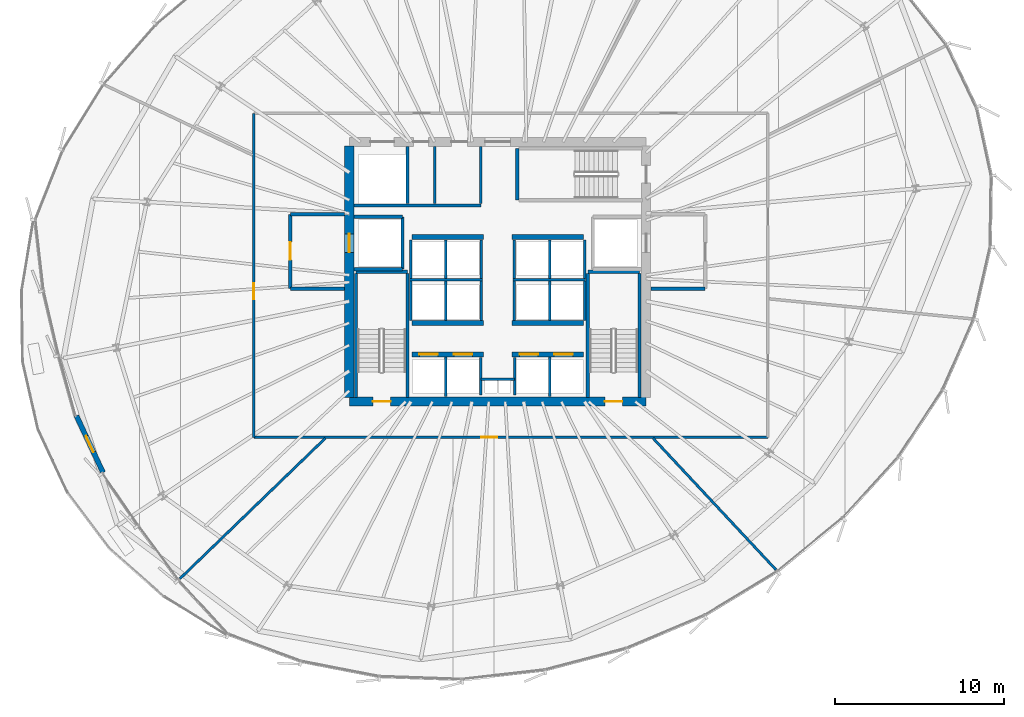
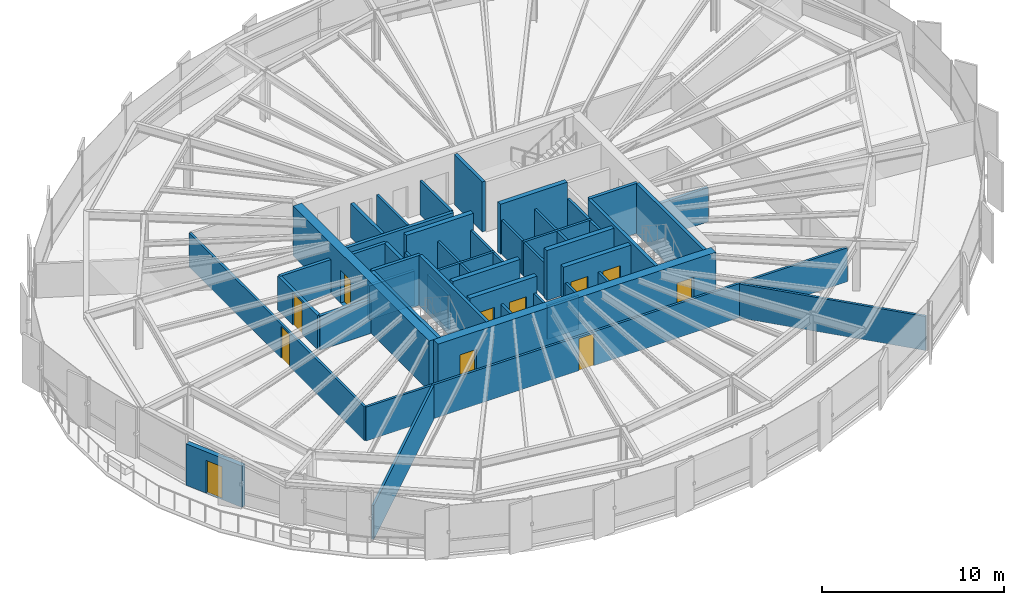
# One storey, part 27 of 33: 50 walls, 11 doors, 11 openings.
"""IFC4 building model written with IfcOpenShell, lengths in metres."""

from ifc_helpers import new_model, si_unit, direction, frame, frame_2d, origin, place, context, subcontext, project, spatial, rectangle, extrude, source, transform, mapped, material, layer, layer_set, type_object, element, fill, save


model = new_model("IFC4")

# Units and contexts
model_context = context("Model", 3, precision=1e-05, world=origin(), true_north=direction((0.0, 1.0)))
body_context = subcontext(model_context, "Body", "Model", "MODEL_VIEW")
ifc_project = project(units=[si_unit("LENGTHUNIT", "METRE"), si_unit("AREAUNIT", "SQUARE_METRE"), si_unit("VOLUMEUNIT", "CUBIC_METRE"), si_unit("PLANEANGLEUNIT", "RADIAN"), si_unit("MASSUNIT", "GRAM", prefix="KILO"), si_unit("THERMODYNAMICTEMPERATUREUNIT", "KELVIN")], contexts=[model_context])

# Site, building, storey
site_placement = place(None, origin())
site = spatial("IfcSite", under=ifc_project, at=site_placement, CompositionType="ELEMENT")
building_placement = place(site_placement, origin())
building = spatial("IfcBuilding", under=site, at=building_placement, Name="Kethvar Cultural Tower", CompositionType="ELEMENT")
storey_placement = place(building_placement, frame((0.0, 0.0, 110.800048828125)))
storey = spatial("IfcBuildingStorey", under=building, at=storey_placement, Name="L27", CompositionType="ELEMENT", Elevation=110.800048828125)

# Wall, openings, doors
ifc_material_1 = material(Name="Concrete C60/75", Category="concrete")
ifc_layer_1 = layer(ifc_material_1, 0.550048828125, Name="Concrete C60/75", Category="concrete")
ifc_layer_set_1 = layer_set([ifc_layer_1], Name="Concrete C60/75 (550 mm)")
wall_type_1 = type_object("IfcWallType", Name="WL-CORE-550", PredefinedType="SHEAR", material=ifc_layer_set_1)
wall_1_placement = place(storey_placement, frame((38.0, 20.10009765625, 0.0), z_axis=(0.0, 0.0, 1.0), x_axis=(1.0, 0.0, 0.0)))
wall_1 = element("IfcWall", 1, at=wall_1_placement, inside=storey, type_object=wall_type_1, Name="L27 Core Shear Wall S", PredefinedType="SHEAR", context=body_context, shape_type="SweptSolid", body=[
    extrude(rectangle(XDim=17.60009765625, YDim=0.550048828125, at=frame_2d((8.800048828125, 0.0))), origin(), (0.0, 0.0, 1.0), 3.349853515625),
])
opening_1_placement = place(wall_1_placement, frame((1.39990234375, 0.0, 0.0)))
opening_1 = element("IfcOpeningElement", 2, at=opening_1_placement, cuts=wall_1, Name="Opening D-L27-S1", PredefinedType="OPENING", context=body_context, shape_type="SweptSolid", body=[
    extrude(rectangle(XDim=1.050048828125, YDim=2.14990234375, at=frame_2d((0.52490234375, 1.074951171875))), frame((0.0, 0.284912109375, 0.0), z_axis=(0.0, -1.0, 0.0), x_axis=(1.0, 0.0, 0.0)), (0.0, 0.0, 1.0), 0.570068359375),
])
opening_2_placement = place(wall_1_placement, frame((15.14990234375, 0.0, 0.0)))
opening_2 = element("IfcOpeningElement", 3, at=opening_2_placement, cuts=wall_1, Name="Opening D-L27-ST2", PredefinedType="OPENING", context=body_context, shape_type="SweptSolid", body=[
    extrude(rectangle(XDim=1.050048828125, YDim=2.14990234375, at=frame_2d((0.52490234375, 1.074951171875))), frame((0.0, 0.284912109375, 0.0), z_axis=(0.0, -1.0, 0.0), x_axis=(1.0, 0.0, 0.0)), (0.0, 0.0, 1.0), 0.570068359375),
])
ifc_material_2 = material(Name="Steel S355J2", Category="steel")
door_type_1 = type_object("IfcDoorType", Name="DR-FD60-1050", OperationType="NOTDEFINED", PredefinedType="DOOR", material=ifc_material_2)
shared_shape_1 = source(origin(), body_context, "Body", "SweptSolid", [
    extrude(rectangle(XDim=1.050048828125, YDim=2.14990234375, at=frame_2d((0.52490234375, 1.074951171875))), frame((0.0, 0.02490234375, 0.0), z_axis=(0.0, -1.0, 0.0), x_axis=(1.0, 0.0, 0.0)), (0.0, 0.0, 1.0), 0.050048828125),
])
door_1_placement = place(opening_1_placement, origin())
door_1 = element("IfcDoor", 4, at=door_1_placement, inside=storey, type_object=door_type_1, Name="L27 Exit Stair 1 Door", OperationType="SINGLE_SWING_LEFT", OverallHeight=2.14990234375, OverallWidth=1.050048828125, PredefinedType="DOOR", context=body_context, shape_type="MappedRepresentation", body=[
    mapped(shared_shape_1, transform((0.0, 0.0, 0.0), scale=1.0)),
])
fill(opening_1, door_1)
door_2_placement = place(opening_2_placement, origin())
door_2 = element("IfcDoor", 5, at=door_2_placement, inside=storey, type_object=door_type_1, Name="L27 Exit Stair 2 Door", OperationType="SINGLE_SWING_RIGHT", OverallHeight=2.14990234375, OverallWidth=1.050048828125, PredefinedType="DOOR", context=body_context, shape_type="MappedRepresentation", body=[
    mapped(shared_shape_1, transform((0.0, 0.0, 0.0), scale=1.0)),
])
fill(opening_2, door_2)

# Wall, opening, door
wall_2_placement = place(storey_placement, frame((38.0, 35.260009765625, 0.0), z_axis=(0.0, 0.0, 1.0), x_axis=(0.0, -1.0, 0.0)))
wall_2 = element("IfcWall", 6, at=wall_2_placement, inside=storey, type_object=wall_type_1, Name="L27 Core Shear Wall W", PredefinedType="SHEAR", context=body_context, shape_type="SweptSolid", body=[
    extrude(rectangle(XDim=14.919921875, YDim=0.550048828125, at=frame_2d((7.4599609375, 0.0))), origin(), (0.0, 0.0, 1.0), 3.349853515625),
])
opening_3_placement = place(wall_2_placement, frame((5.2099609375, 0.0, 0.0)))
opening_3 = element("IfcOpeningElement", 7, at=opening_3_placement, cuts=wall_2, Name="Opening LD-1", PredefinedType="OPENING", context=body_context, shape_type="SweptSolid", body=[
    extrude(rectangle(XDim=1.10009765625, YDim=2.199951171875, at=frame_2d((0.550048828125, 1.10009765625))), frame((0.0, 0.284912109375, 0.0), z_axis=(0.0, -1.0, 0.0), x_axis=(1.0, 0.0, 0.0)), (0.0, 0.0, 1.0), 0.570068359375),
])
door_type_2 = type_object("IfcDoorType", Name="DR-LIFT-SLIDE-1100", OperationType="NOTDEFINED", PredefinedType="DOOR", material=ifc_material_2)
shared_shape_2 = source(origin(), body_context, "Body", "SweptSolid", [
    extrude(rectangle(XDim=1.10009765625, YDim=2.199951171875, at=frame_2d((0.550048828125, 1.10009765625))), frame((0.0, 0.02490234375, 0.0), z_axis=(0.0, -1.0, 0.0), x_axis=(1.0, 0.0, 0.0)), (0.0, 0.0, 1.0), 0.050048828125),
])
door_3_placement = place(opening_3_placement, origin())
door_3 = element("IfcDoor", 8, at=door_3_placement, inside=storey, type_object=door_type_2, Name="L27 Firefighting Lift Landing Door FFL-01", OperationType="SLIDING_TO_LEFT", OverallHeight=2.199951171875, OverallWidth=1.10009765625, PredefinedType="DOOR", context=body_context, shape_type="MappedRepresentation", body=[
    mapped(shared_shape_2, transform((0.0, 0.0, 0.0), scale=1.0)),
])
fill(opening_3, door_3)

ifc_material_3 = material(Name="Concrete C40/50", Category="concrete")
ifc_layer_2 = layer(ifc_material_3, 0.300048828125, Name="Concrete C40/50", Category="concrete")
ifc_layer_set_2 = layer_set([ifc_layer_2], Name="Concrete C40/50 (300 mm)")
wall_type_2 = type_object("IfcWallType", Name="WL-EXT-TER-300", PredefinedType="SOLIDWALL", material=ifc_layer_set_2)
wall_3_placement = place(storey_placement, frame((23.390380859375, 15.88330078125, 0.0), z_axis=(0.0, 0.0, 1.0), x_axis=(-0.4244003421, 0.905474654325, 0.0)))
wall_3 = element("IfcWall", 9, at=wall_3_placement, inside=storey, type_object=wall_type_2, Name="L27 Sky Terrace Access Wall", PredefinedType="SOLIDWALL", context=body_context, shape_type="SweptSolid", body=[
    extrude(rectangle(XDim=3.73046875, YDim=0.300048828125, at=frame_2d((1.865234375, 0.0))), origin(), (0.0, 0.0, 1.0), 2.77490234375),
])
opening_4_placement = place(wall_3_placement, frame((1.34033203125, 0.0, 0.0)))
opening_4 = element("IfcOpeningElement", 10, at=opening_4_placement, cuts=wall_3, Name="Opening D-L27-T1", PredefinedType="OPENING", context=body_context, shape_type="SweptSolid", body=[
    extrude(rectangle(XDim=1.050048828125, YDim=2.199951171875, at=frame_2d((0.52490234375, 1.10009765625))), frame((0.0, 0.159912109375, 0.0), z_axis=(0.0, -1.0, 0.0), x_axis=(1.0, 0.0, 0.0)), (0.0, 0.0, 1.0), 0.320068359375),
])
ifc_material_4 = material(Name="Aluminium 6063-T6", Category="aluminium")
door_type_3 = type_object("IfcDoorType", Name="DR-EXT-TER-1050", OperationType="NOTDEFINED", PredefinedType="DOOR", material=ifc_material_4)
shared_shape_3 = source(origin(), body_context, "Body", "SweptSolid", [
    extrude(rectangle(XDim=1.050048828125, YDim=2.199951171875, at=frame_2d((0.52490234375, 1.10009765625))), frame((0.0, 0.02490234375, 0.0), z_axis=(0.0, -1.0, 0.0), x_axis=(1.0, 0.0, 0.0)), (0.0, 0.0, 1.0), 0.050048828125),
])
door_4_placement = place(opening_4_placement, origin())
door_4 = element("IfcDoor", 11, at=door_4_placement, inside=storey, type_object=door_type_3, Name="L27 Sky Terrace Access Door D-L27-T1", OperationType="SINGLE_SWING_RIGHT", OverallHeight=2.199951171875, OverallWidth=1.050048828125, PredefinedType="DOOR", context=body_context, shape_type="MappedRepresentation", body=[
    mapped(shared_shape_3, transform((0.0, 0.0, 0.0), scale=1.0)),
])
fill(opening_4, door_4)

# Walls
ifc_material_5 = material(Name="Gypsum Fireboard Partition")
ifc_layer_3 = layer(ifc_material_5, 0.14990234375, Name="Gypsum Fireboard Partition")
ifc_layer_set_3 = layer_set([ifc_layer_3], Name="Gypsum Fireboard Partition (150 mm)")
wall_type_3 = type_object("IfcWallType", Name="WL-FIRE-150", PredefinedType="PARTITIONING", material=ifc_layer_set_3)
wall_4_placement = place(storey_placement, frame((45.800048828125, 21.419921875, 0.0), z_axis=(0.0, 0.0, 1.0), x_axis=(1.0, 0.0, 0.0)))
element("IfcWall", 12, at=wall_4_placement, inside=storey, type_object=wall_type_3, Name="L27 Core Riser Wall", PredefinedType="PARTITIONING", context=body_context, shape_type="SweptSolid", body=[
    extrude(rectangle(XDim=2.0, YDim=0.14990234375, at=frame_2d((1.0, 0.0))), origin(), (0.0, 0.0, 1.0), 2.280029296875),
])
for number, where, z_axis, x_axis, name in (
    (13, (45.800048828125, 20.47998046875, 0.0), (0.0, 0.0, 1.0), (0.0, 1.0, 0.0), "L27 Core Riser West Wall"),
    (14, (47.800048828125, 20.47998046875, 0.0), (0.0, 0.0, 1.0), (0.0, 1.0, 0.0), "L27 Core Riser East Wall"),
):
    element("IfcWall", number, at=place(storey_placement, frame(where, z_axis=z_axis, x_axis=x_axis)), inside=storey, type_object=wall_type_3, Name=name, PredefinedType="PARTITIONING", context=body_context, shape_type="SweptSolid", body=[
        extrude(rectangle(XDim=2.239990234375, YDim=0.14990234375, at=frame_2d((1.1201171875, 0.0))), origin(), (0.0, 0.0, 1.0), 2.280029296875),
    ])
for number, where, z_axis, x_axis, name in (
    (15, (43.72509765625, 20.385009765625, 0.0), (0.0, 0.0, 1.0), (0.0, 1.0, 0.0), "L27 Low-Rise Lift Shaft Divider W"),
    (16, (49.875, 20.385009765625, 0.0), (0.0, 0.0, 1.0), (0.0, 1.0, 0.0), "L27 Low-Rise Lift Shaft Divider E"),
):
    element("IfcWall", number, at=place(storey_placement, frame(where, z_axis=z_axis, x_axis=x_axis)), inside=storey, type_object=wall_type_3, Name=name, PredefinedType="PARTITIONING", context=body_context, shape_type="SweptSolid", body=[
        extrude(rectangle(XDim=2.344970703125, YDim=0.14990234375, at=frame_2d((1.17236328125, 0.0))), origin(), (0.0, 0.0, 1.0), 2.280029296875),
    ])
wall_5_placement = place(storey_placement, frame((41.580078125, 27.324951171875, 0.0), z_axis=(0.0, 0.0, 1.0), x_axis=(1.0, 0.0, 0.0)))
element("IfcWall", 17, at=wall_5_placement, inside=storey, type_object=wall_type_3, Name="L27 Mid-High Lift Shaft Back Wall W", PredefinedType="PARTITIONING", context=body_context, shape_type="SweptSolid", body=[
    extrude(rectangle(XDim=4.31982421875, YDim=0.14990234375, at=frame_2d((2.159912109375, 0.0))), origin(), (0.0, 0.0, 1.0), 2.280029296875),
])
wall_6_placement = place(storey_placement, frame((47.699951171875, 27.324951171875, 0.0), z_axis=(0.0, 0.0, 1.0), x_axis=(1.0, 0.0, 0.0)))
element("IfcWall", 18, at=wall_6_placement, inside=storey, type_object=wall_type_3, Name="L27 Mid-High Lift Shaft Back Wall E", PredefinedType="PARTITIONING", context=body_context, shape_type="SweptSolid", body=[
    extrude(rectangle(XDim=4.320068359375, YDim=0.14990234375, at=frame_2d((2.16015625, 0.0))), origin(), (0.0, 0.0, 1.0), 2.280029296875),
])
for number, where, z_axis, x_axis, name in (
    (19, (41.64990234375, 24.919921875, 0.0), (0.0, 0.0, 1.0), (0.0, 1.0, 0.0), "L27 Mid-Rise Lift Shaft Outer Wall W"),
    (20, (43.72509765625, 24.919921875, 0.0), (0.0, 0.0, 1.0), (0.0, 1.0, 0.0), "L27 Mid-Rise Lift Shaft Divider W"),
    (21, (45.824951171875, 24.919921875, 0.0), (0.0, 0.0, 1.0), (0.0, 1.0, 0.0), "L27 Mid-Rise Lift Shaft Concourse Wall W"),
    (22, (47.77490234375, 24.919921875, 0.0), (0.0, 0.0, 1.0), (0.0, 1.0, 0.0), "L27 Mid-Rise Lift Shaft Concourse Wall E"),
    (23, (49.875, 24.919921875, 0.0), (0.0, 0.0, 1.0), (0.0, 1.0, 0.0), "L27 Mid-Rise Lift Shaft Divider E"),
    (24, (51.949951171875, 24.919921875, 0.0), (0.0, 0.0, 1.0), (0.0, 1.0, 0.0), "L27 Mid-Rise Lift Shaft Outer Wall E"),
):
    element("IfcWall", number, at=place(storey_placement, frame(where, z_axis=z_axis, x_axis=x_axis)), inside=storey, type_object=wall_type_3, Name=name, PredefinedType="PARTITIONING", context=body_context, shape_type="SweptSolid", body=[
        extrude(rectangle(XDim=2.320068359375, YDim=0.14990234375, at=frame_2d((1.16015625, 0.0))), origin(), (0.0, 0.0, 1.0), 2.280029296875),
    ])
for number, where, z_axis, x_axis, name in (
    (25, (41.64990234375, 27.409912109375, 0.0), (0.0, 0.0, 1.0), (0.0, 1.0, 0.0), "L27 High-Rise Lift Shaft Outer Wall W"),
    (26, (43.72509765625, 27.409912109375, 0.0), (0.0, 0.0, 1.0), (0.0, 1.0, 0.0), "L27 High-Rise Lift Shaft Divider W"),
    (27, (45.824951171875, 27.409912109375, 0.0), (0.0, 0.0, 1.0), (0.0, 1.0, 0.0), "L27 High-Rise Lift Shaft Concourse Wall W"),
    (28, (47.77490234375, 27.409912109375, 0.0), (0.0, 0.0, 1.0), (0.0, 1.0, 0.0), "L27 High-Rise Lift Shaft Concourse Wall E"),
    (29, (49.875, 27.409912109375, 0.0), (0.0, 0.0, 1.0), (0.0, 1.0, 0.0), "L27 High-Rise Lift Shaft Divider E"),
    (30, (51.949951171875, 27.409912109375, 0.0), (0.0, 0.0, 1.0), (0.0, 1.0, 0.0), "L27 High-Rise Lift Shaft Outer Wall E"),
):
    element("IfcWall", number, at=place(storey_placement, frame(where, z_axis=z_axis, x_axis=x_axis)), inside=storey, type_object=wall_type_3, Name=name, PredefinedType="PARTITIONING", context=body_context, shape_type="SweptSolid", body=[
        extrude(rectangle(XDim=2.27001953125, YDim=0.14990234375, at=frame_2d((1.135009765625, 0.0))), origin(), (0.0, 0.0, 1.0), 2.280029296875),
    ])
wall_7_placement = place(storey_placement, frame((45.800048828125, 31.85009765625, 0.0), z_axis=(0.0, 0.0, 1.0), x_axis=(0.0, 1.0, 0.0)))
element("IfcWall", 31, at=wall_7_placement, inside=storey, type_object=wall_type_3, Name="L27 Sanitary Spine Wall", PredefinedType="PARTITIONING", context=body_context, shape_type="SweptSolid", body=[
    extrude(rectangle(XDim=3.364990234375, YDim=0.14990234375, at=frame_2d((1.6826171875, 0.0))), origin(), (0.0, 0.0, 1.0), 2.280029296875),
])

# Wall, opening, door
wall_8_placement = place(storey_placement, frame((32.330078125, 17.97998046875, 0.0), z_axis=(0.0, 0.0, 1.0), x_axis=(1.0, 0.0, 0.0)))
wall_8 = element("IfcWall", 32, at=wall_8_placement, inside=storey, type_object=wall_type_3, Name="L27 Corridor Rated Wall S", PredefinedType="PARTITIONING", context=body_context, shape_type="SweptSolid", body=[
    extrude(rectangle(XDim=30.5, YDim=0.14990234375, at=frame_2d((15.25, 0.0))), origin(), (0.0, 0.0, 1.0), 2.280029296875),
])
opening_5_placement = place(wall_8_placement, frame((13.481689453125, 0.0, 0.0)))
opening_5 = element("IfcOpeningElement", 33, at=opening_5_placement, cuts=wall_8, Name="Opening D-L27-01", PredefinedType="OPENING", context=body_context, shape_type="SweptSolid", body=[
    extrude(rectangle(XDim=0.949951171875, YDim=2.14990234375, at=frame_2d((0.47509765625, 1.074951171875))), frame((0.0, 0.0849609375, 0.0), z_axis=(0.0, -1.0, 0.0), x_axis=(1.0, 0.0, 0.0)), (0.0, 0.0, 1.0), 0.169921875),
])
ifc_material_6 = material(Name="Architectural Oak Timber", Category="wood")
door_type_4 = type_object("IfcDoorType", Name="DR-FD30-950", OperationType="NOTDEFINED", PredefinedType="DOOR", material=ifc_material_6)
shared_shape_4 = source(origin(), body_context, "Body", "SweptSolid", [
    extrude(rectangle(XDim=0.949951171875, YDim=2.14990234375, at=frame_2d((0.47509765625, 1.074951171875))), frame((0.0, 0.02490234375, 0.0), z_axis=(0.0, -1.0, 0.0), x_axis=(1.0, 0.0, 0.0)), (0.0, 0.0, 1.0), 0.050048828125),
])
door_5_placement = place(opening_5_placement, origin())
door_5 = element("IfcDoor", 34, at=door_5_placement, inside=storey, type_object=door_type_4, Name="L27 Visitor Reception 01 Door", OperationType="SINGLE_SWING_RIGHT", OverallHeight=2.14990234375, OverallWidth=0.949951171875, PredefinedType="DOOR", context=body_context, shape_type="MappedRepresentation", body=[
    mapped(shared_shape_4, transform((0.0, 0.0, 0.0), scale=1.0)),
])
fill(opening_5, door_5)

wall_9_placement = place(storey_placement, frame((32.330078125, 37.199951171875, 0.0), z_axis=(0.0, 0.0, 1.0), x_axis=(0.0, -1.0, 0.0)))
wall_9 = element("IfcWall", 35, at=wall_9_placement, inside=storey, type_object=wall_type_3, Name="L27 Corridor Rated Wall W", PredefinedType="PARTITIONING", context=body_context, shape_type="SweptSolid", body=[
    extrude(rectangle(XDim=19.219970703125, YDim=0.14990234375, at=frame_2d((9.60986328125, 0.0))), origin(), (0.0, 0.0, 1.0), 2.280029296875),
])
opening_6_placement = place(wall_9_placement, frame((10.089599609375, 0.0, 0.0)))
opening_6 = element("IfcOpeningElement", 36, at=opening_6_placement, cuts=wall_9, Name="Opening D-L27-06", PredefinedType="OPENING", context=body_context, shape_type="SweptSolid", body=[
    extrude(rectangle(XDim=0.949951171875, YDim=2.14990234375, at=frame_2d((0.47509765625, 1.074951171875))), frame((0.0, 0.0849609375, 0.0), z_axis=(0.0, -1.0, 0.0), x_axis=(1.0, 0.0, 0.0)), (0.0, 0.0, 1.0), 0.169921875),
])
door_6_placement = place(opening_6_placement, origin())
door_6 = element("IfcDoor", 37, at=door_6_placement, inside=storey, type_object=door_type_4, Name="L27 Staff Tea Pantry 06 Door", OperationType="SINGLE_SWING_LEFT", OverallHeight=2.14990234375, OverallWidth=0.949951171875, PredefinedType="DOOR", context=body_context, shape_type="MappedRepresentation", body=[
    mapped(shared_shape_4, transform((0.0, 0.0, 0.0), scale=1.0)),
])
fill(opening_6, door_6)

# Walls
ifc_layer_4 = layer(ifc_material_3, 0.199951171875, Name="Concrete C40/50", Category="concrete")
ifc_layer_set_4 = layer_set([ifc_layer_4], Name="Concrete C40/50 (200 mm)")
wall_type_4 = type_object("IfcWallType", Name="WL-FIRE-200", PredefinedType="PARTITIONING", material=ifc_layer_set_4)
wall_10_placement = place(storey_placement, frame((41.14990234375, 27.949951171875, 0.0), z_axis=(0.0, 0.0, 1.0), x_axis=(0.0, 1.0, 0.0)))
element("IfcWall", 38, at=wall_10_placement, inside=storey, type_object=wall_type_4, Name="L27 FFL-01 Shaft Inner Wall", PredefinedType="PARTITIONING", context=body_context, shape_type="SweptSolid", body=[
    extrude(rectangle(XDim=3.10009765625, YDim=0.199951171875, at=frame_2d((1.550048828125, 0.0))), origin(), (0.0, 0.0, 1.0), 2.280029296875),
])
for number, where, z_axis, x_axis, name in (
    (39, (38.284912109375, 27.949951171875, 0.0), (0.0, 0.0, 1.0), (1.0, 0.0, 0.0), "L27 FFL-01 Shaft South Wall"),
    (40, (38.284912109375, 31.050048828125, 0.0), (0.0, 0.0, 1.0), (1.0, 0.0, 0.0), "L27 FFL-01 Shaft North Wall"),
):
    element("IfcWall", number, at=place(storey_placement, frame(where, z_axis=z_axis, x_axis=x_axis)), inside=storey, type_object=wall_type_4, Name=name, PredefinedType="PARTITIONING", context=body_context, shape_type="SweptSolid", body=[
        extrude(rectangle(XDim=2.864990234375, YDim=0.199951171875, at=frame_2d((1.4326171875, 0.0))), origin(), (0.0, 0.0, 1.0), 2.280029296875),
    ])

# Wall, opening, door
wall_11_placement = place(storey_placement, frame((34.5, 31.199951171875, 0.0), z_axis=(0.0, 0.0, 1.0), x_axis=(0.0, -1.0, 0.0)))
wall_11 = element("IfcWall", 41, at=wall_11_placement, inside=storey, type_object=wall_type_4, Name="L27 Firefighting Lobby 1 Wall", PredefinedType="PARTITIONING", context=body_context, shape_type="SweptSolid", body=[
    extrude(rectangle(XDim=4.39990234375, YDim=0.199951171875, at=frame_2d((2.199951171875, 0.0))), origin(), (0.0, 0.0, 1.0), 2.280029296875),
])
opening_7_placement = place(wall_11_placement, frame((1.64990234375, 0.0, 0.0)))
opening_7 = element("IfcOpeningElement", 42, at=opening_7_placement, cuts=wall_11, Name="Opening D-L27-F1", PredefinedType="OPENING", context=body_context, shape_type="SweptSolid", body=[
    extrude(rectangle(XDim=1.050048828125, YDim=2.14990234375, at=frame_2d((0.52490234375, 1.074951171875))), frame((0.0, 0.10986328125, 0.0), z_axis=(0.0, -1.0, 0.0), x_axis=(1.0, 0.0, 0.0)), (0.0, 0.0, 1.0), 0.219970703125),
])
door_7_placement = place(opening_7_placement, origin())
door_7 = element("IfcDoor", 43, at=door_7_placement, inside=storey, type_object=door_type_1, Name="L27 Firefighting Lobby 1 Fire Door", OperationType="SINGLE_SWING_LEFT", OverallHeight=2.14990234375, OverallWidth=1.050048828125, PredefinedType="DOOR", context=body_context, shape_type="MappedRepresentation", body=[
    mapped(shared_shape_1, transform((0.0, 0.0, 0.0), scale=1.0)),
])
fill(opening_7, door_7)

# Walls
for number, where, z_axis, x_axis, name in (
    (44, (34.5, 26.800048828125, 0.0), (0.0, 0.0, 1.0), (1.0, 0.0, 0.0), "L27 FF Lobby 1 South Wall"),
    (45, (34.5, 31.199951171875, 0.0), (0.0, 0.0, 1.0), (1.0, 0.0, 0.0), "L27 FF Lobby 1 North Wall"),
    (46, (55.885009765625, 26.800048828125, 0.0), (0.0, 0.0, 1.0), (1.0, 0.0, 0.0), "L27 FF Lobby 2 South Wall"),
):
    element("IfcWall", number, at=place(storey_placement, frame(where, z_axis=z_axis, x_axis=x_axis)), inside=storey, type_object=wall_type_4, Name=name, PredefinedType="PARTITIONING", context=body_context, shape_type="SweptSolid", body=[
        extrude(rectangle(XDim=3.215087890625, YDim=0.199951171875, at=frame_2d((1.607421875, 0.0))), origin(), (0.0, 0.0, 1.0), 2.280029296875),
    ])
wall_12_placement = place(storey_placement, frame((41.449951171875, 31.85009765625, 0.0), z_axis=(0.0, 0.0, 1.0), x_axis=(0.0, 1.0, 0.0)))
element("IfcWall", 47, at=wall_12_placement, inside=storey, type_object=wall_type_4, Name="L27 NW Core Pocket Wall", PredefinedType="PARTITIONING", context=body_context, shape_type="SweptSolid", body=[
    extrude(rectangle(XDim=3.364990234375, YDim=0.199951171875, at=frame_2d((1.6826171875, 0.0))), origin(), (0.0, 0.0, 1.0), 2.280029296875),
])
wall_13_placement = place(storey_placement, frame((38.284912109375, 31.72998046875, 0.0), z_axis=(0.0, 0.0, 1.0), x_axis=(1.0, 0.0, 0.0)))
element("IfcWall", 48, at=wall_13_placement, inside=storey, type_object=wall_type_4, Name="L27 North Core Sanitary South Wall", PredefinedType="PARTITIONING", context=body_context, shape_type="SweptSolid", body=[
    extrude(rectangle(XDim=7.51513671875, YDim=0.199951171875, at=frame_2d((3.757568359375, 0.0))), origin(), (0.0, 0.0, 1.0), 2.280029296875),
])
ifc_material_7 = material(Name="Gypsum Acoustic Partition")
ifc_layer_5 = layer(ifc_material_7, 0.14990234375, Name="Gypsum Acoustic Partition")
ifc_layer_set_5 = layer_set([ifc_layer_5], Name="Gypsum Acoustic Partition (150 mm)")
wall_type_5 = type_object("IfcWallType", Name="WL-PART-150", PredefinedType="PARTITIONING", material=ifc_layer_set_5)
wall_14_placement = place(storey_placement, frame((36.573486328125, 17.92431640625, 0.0), z_axis=(0.0, 0.0, 1.0), x_axis=(-0.719183453683, -0.694820235708, 0.0)))
element("IfcWall", 49, at=wall_14_placement, inside=storey, type_object=wall_type_5, Name="L27 Radial Partition Wall 01", PredefinedType="PARTITIONING", context=body_context, shape_type="SweptSolid", body=[
    extrude(rectangle(XDim=11.98486328125, YDim=0.14990234375, at=frame_2d((5.992431640625, 0.0))), origin(), (0.0, 0.0, 1.0), 2.280029296875),
])
wall_15_placement = place(storey_placement, frame((56.017333984375, 17.92138671875, 0.0), z_axis=(0.0, 0.0, 1.0), x_axis=(0.682716489206, -0.730683375592, 0.0)))
element("IfcWall", 50, at=wall_15_placement, inside=storey, type_object=wall_type_5, Name="L27 Radial Partition Wall 02", PredefinedType="PARTITIONING", context=body_context, shape_type="SweptSolid", body=[
    extrude(rectangle(XDim=10.678466796875, YDim=0.14990234375, at=frame_2d((5.33935546875, 0.0))), origin(), (0.0, 0.0, 1.0), 2.280029296875),
])
ifc_material_8 = material(Name="Moisture-Resistant Sanitary Chase Wall")
ifc_layer_6 = layer(ifc_material_8, 0.14990234375, Name="Moisture-Resistant Sanitary Chase Wall")
ifc_layer_set_6 = layer_set([ifc_layer_6], Name="Moisture-Resistant Sanitary Chase Wall (150 mm)")
wall_type_6 = type_object("IfcWallType", Name="WL-PLUMB-150", PredefinedType="PLUMBINGWALL", material=ifc_layer_set_6)
wall_16_placement = place(storey_placement, frame((43.050048828125, 31.85009765625, 0.0), z_axis=(0.0, 0.0, 1.0), x_axis=(0.0, 1.0, 0.0)))
element("IfcWall", 51, at=wall_16_placement, inside=storey, type_object=wall_type_6, Name="L27 Sanitary Plumbing Wall", PredefinedType="PLUMBINGWALL", context=body_context, shape_type="SweptSolid", body=[
    extrude(rectangle(XDim=3.364990234375, YDim=0.14990234375, at=frame_2d((1.6826171875, 0.0))), origin(), (0.0, 0.0, 1.0), 2.280029296875),
])

# Wall, openings, doors
ifc_material_9 = material(Name="Concrete C50/60", Category="concrete")
ifc_layer_7 = layer(ifc_material_9, 0.300048828125, Name="Concrete C50/60", Category="concrete")
ifc_layer_set_7 = layer_set([ifc_layer_7], Name="Concrete C50/60 (300 mm)")
wall_type_7 = type_object("IfcWallType", Name="WL-SHAFT-300", PredefinedType="SHEAR", material=ifc_layer_set_7)
wall_17_placement = place(storey_placement, frame((41.699951171875, 22.89990234375, 0.0), z_axis=(0.0, 0.0, 1.0), x_axis=(1.0, 0.0, 0.0)))
wall_17 = element("IfcWall", 52, at=wall_17_placement, inside=storey, type_object=wall_type_7, Name="L27 Core Lift Spine Wall MID1W", PredefinedType="SHEAR", context=body_context, shape_type="SweptSolid", body=[
    extrude(rectangle(XDim=4.25, YDim=0.300048828125, at=frame_2d((2.125, 0.0))), origin(), (0.0, 0.0, 1.0), 3.349853515625),
])
opening_8_placement = place(wall_17_placement, frame((0.449951171875, 0.0, 0.0)))
opening_8 = element("IfcOpeningElement", 53, at=opening_8_placement, cuts=wall_17, Name="Opening LD-L1", PredefinedType="OPENING", context=body_context, shape_type="SweptSolid", body=[
    extrude(rectangle(XDim=1.10009765625, YDim=2.199951171875, at=frame_2d((0.550048828125, 1.10009765625))), frame((0.0, 0.159912109375, 0.0), z_axis=(0.0, -1.0, 0.0), x_axis=(1.0, 0.0, 0.0)), (0.0, 0.0, 1.0), 0.320068359375),
])
opening_9_placement = place(wall_17_placement, frame((2.5, 0.0, 0.0)))
opening_9 = element("IfcOpeningElement", 54, at=opening_9_placement, cuts=wall_17, Name="Opening LD-L2", PredefinedType="OPENING", context=body_context, shape_type="SweptSolid", body=[
    extrude(rectangle(XDim=1.10009765625, YDim=2.199951171875, at=frame_2d((0.550048828125, 1.10009765625))), frame((0.0, 0.159912109375, 0.0), z_axis=(0.0, -1.0, 0.0), x_axis=(1.0, 0.0, 0.0)), (0.0, 0.0, 1.0), 0.320068359375),
])
door_8_placement = place(opening_8_placement, origin())
door_8 = element("IfcDoor", 55, at=door_8_placement, inside=storey, type_object=door_type_2, Name="L27 Low-Rise Lift Landing Door L1", OperationType="SLIDING_TO_LEFT", OverallHeight=2.199951171875, OverallWidth=1.10009765625, PredefinedType="DOOR", context=body_context, shape_type="MappedRepresentation", body=[
    mapped(shared_shape_2, transform((0.0, 0.0, 0.0), scale=1.0)),
])
fill(opening_8, door_8)
door_9_placement = place(opening_9_placement, origin())
door_9 = element("IfcDoor", 56, at=door_9_placement, inside=storey, type_object=door_type_2, Name="L27 Low-Rise Lift Landing Door L2", OperationType="SLIDING_TO_LEFT", OverallHeight=2.199951171875, OverallWidth=1.10009765625, PredefinedType="DOOR", context=body_context, shape_type="MappedRepresentation", body=[
    mapped(shared_shape_2, transform((0.0, 0.0, 0.0), scale=1.0)),
])
fill(opening_9, door_9)

wall_18_placement = place(storey_placement, frame((47.64990234375, 22.89990234375, 0.0), z_axis=(0.0, 0.0, 1.0), x_axis=(1.0, 0.0, 0.0)))
wall_18 = element("IfcWall", 57, at=wall_18_placement, inside=storey, type_object=wall_type_7, Name="L27 Core Lift Spine Wall MID1E", PredefinedType="SHEAR", context=body_context, shape_type="SweptSolid", body=[
    extrude(rectangle(XDim=4.25, YDim=0.300048828125, at=frame_2d((2.125, 0.0))), origin(), (0.0, 0.0, 1.0), 3.349853515625),
])
opening_10_placement = place(wall_18_placement, frame((0.449951171875, 0.0, 0.0)))
opening_10 = element("IfcOpeningElement", 58, at=opening_10_placement, cuts=wall_18, Name="Opening LD-L3", PredefinedType="OPENING", context=body_context, shape_type="SweptSolid", body=[
    extrude(rectangle(XDim=1.10009765625, YDim=2.199951171875, at=frame_2d((0.550048828125, 1.10009765625))), frame((0.0, 0.159912109375, 0.0), z_axis=(0.0, -1.0, 0.0), x_axis=(1.0, 0.0, 0.0)), (0.0, 0.0, 1.0), 0.320068359375),
])
opening_11_placement = place(wall_18_placement, frame((2.5, 0.0, 0.0)))
opening_11 = element("IfcOpeningElement", 59, at=opening_11_placement, cuts=wall_18, Name="Opening LD-L4", PredefinedType="OPENING", context=body_context, shape_type="SweptSolid", body=[
    extrude(rectangle(XDim=1.10009765625, YDim=2.199951171875, at=frame_2d((0.550048828125, 1.10009765625))), frame((0.0, 0.159912109375, 0.0), z_axis=(0.0, -1.0, 0.0), x_axis=(1.0, 0.0, 0.0)), (0.0, 0.0, 1.0), 0.320068359375),
])
door_10_placement = place(opening_10_placement, origin())
door_10 = element("IfcDoor", 60, at=door_10_placement, inside=storey, type_object=door_type_2, Name="L27 Low-Rise Lift Landing Door L3", OperationType="SLIDING_TO_LEFT", OverallHeight=2.199951171875, OverallWidth=1.10009765625, PredefinedType="DOOR", context=body_context, shape_type="MappedRepresentation", body=[
    mapped(shared_shape_2, transform((0.0, 0.0, 0.0), scale=1.0)),
])
fill(opening_10, door_10)
door_11_placement = place(opening_11_placement, origin())
door_11 = element("IfcDoor", 61, at=door_11_placement, inside=storey, type_object=door_type_2, Name="L27 Low-Rise Lift Landing Door L4", OperationType="SLIDING_TO_LEFT", OverallHeight=2.199951171875, OverallWidth=1.10009765625, PredefinedType="DOOR", context=body_context, shape_type="MappedRepresentation", body=[
    mapped(shared_shape_2, transform((0.0, 0.0, 0.0), scale=1.0)),
])
fill(opening_11, door_11)

# Walls
for number, where, z_axis, x_axis, name in (
    (62, (41.699951171875, 24.75, 0.0), (0.0, 0.0, 1.0), (1.0, 0.0, 0.0), "L27 Core Lift Spine Wall MID2W"),
    (63, (47.64990234375, 24.75, 0.0), (0.0, 0.0, 1.0), (1.0, 0.0, 0.0), "L27 Core Lift Spine Wall MID2E"),
    (64, (41.699951171875, 29.85009765625, 0.0), (0.0, 0.0, 1.0), (1.0, 0.0, 0.0), "L27 Core Lift Spine Wall MID3W"),
    (65, (47.64990234375, 29.85009765625, 0.0), (0.0, 0.0, 1.0), (1.0, 0.0, 0.0), "L27 Core Lift Spine Wall MID3E"),
):
    element("IfcWall", number, at=place(storey_placement, frame(where, z_axis=z_axis, x_axis=x_axis)), inside=storey, type_object=wall_type_7, Name=name, PredefinedType="SHEAR", context=body_context, shape_type="SweptSolid", body=[
        extrude(rectangle(XDim=4.25, YDim=0.300048828125, at=frame_2d((2.125, 0.0))), origin(), (0.0, 0.0, 1.0), 3.349853515625),
    ])
ifc_layer_8 = layer(ifc_material_9, 0.199951171875, Name="Concrete C50/60", Category="concrete")
ifc_layer_set_8 = layer_set([ifc_layer_8], Name="Concrete C50/60 (200 mm)")
wall_type_8 = type_object("IfcWallType", Name="WL-STSHAFT-200", PredefinedType="SHEAR", material=ifc_layer_set_8)
wall_19_placement = place(storey_placement, frame((38.389892578125, 27.800048828125, 0.0), z_axis=(0.0, 0.0, 1.0), x_axis=(1.0, 0.0, 0.0)))
element("IfcWall", 66, at=wall_19_placement, inside=storey, type_object=wall_type_8, Name="L27 ST-01 Stair Shaft Wall FAR", PredefinedType="SHEAR", context=body_context, shape_type="SweptSolid", body=[
    extrude(rectangle(XDim=3.06005859375, YDim=0.199951171875, at=frame_2d((1.530029296875, 0.0))), origin(), (0.0, 0.0, 1.0), 3.349853515625),
])
for number, where, z_axis, x_axis, name in (
    (67, (41.449951171875, 27.699951171875, 0.0), (0.0, 0.0, 1.0), (0.0, -1.0, 0.0), "L27 ST-01 Stair Shaft Wall LEFT"),
    (68, (38.389892578125, 20.35009765625, 0.0), (0.0, 0.0, 1.0), (0.0, 1.0, 0.0), "L27 ST-01 Stair Shaft Wall RIGHT"),
):
    element("IfcWall", number, at=place(storey_placement, frame(where, z_axis=z_axis, x_axis=x_axis)), inside=storey, type_object=wall_type_8, Name=name, PredefinedType="SHEAR", context=body_context, shape_type="SweptSolid", body=[
        extrude(rectangle(XDim=7.349853515625, YDim=0.199951171875, at=frame_2d((3.6748046875, 0.0))), origin(), (0.0, 0.0, 1.0), 3.349853515625),
    ])
wall_20_placement = place(storey_placement, frame((52.14990234375, 27.800048828125, 0.0), z_axis=(0.0, 0.0, 1.0), x_axis=(1.0, 0.0, 0.0)))
element("IfcWall", 69, at=wall_20_placement, inside=storey, type_object=wall_type_8, Name="L27 ST-02 Stair Shaft Wall FAR", PredefinedType="SHEAR", context=body_context, shape_type="SweptSolid", body=[
    extrude(rectangle(XDim=3.06005859375, YDim=0.199951171875, at=frame_2d((1.530029296875, 0.0))), origin(), (0.0, 0.0, 1.0), 3.349853515625),
])
for number, where, z_axis, x_axis, name in (
    (70, (55.2099609375, 27.699951171875, 0.0), (0.0, 0.0, 1.0), (0.0, -1.0, 0.0), "L27 ST-02 Stair Shaft Wall LEFT"),
    (71, (52.14990234375, 20.35009765625, 0.0), (0.0, 0.0, 1.0), (0.0, 1.0, 0.0), "L27 ST-02 Stair Shaft Wall RIGHT"),
):
    element("IfcWall", number, at=place(storey_placement, frame(where, z_axis=z_axis, x_axis=x_axis)), inside=storey, type_object=wall_type_8, Name=name, PredefinedType="SHEAR", context=body_context, shape_type="SweptSolid", body=[
        extrude(rectangle(XDim=7.349853515625, YDim=0.199951171875, at=frame_2d((3.6748046875, 0.0))), origin(), (0.0, 0.0, 1.0), 3.349853515625),
    ])
wall_21_placement = place(storey_placement, frame((47.949951171875, 32.050048828125, 0.0), z_axis=(0.0, 0.0, 1.0), x_axis=(0.0, 1.0, 0.0)))
element("IfcWall", 72, at=wall_21_placement, inside=storey, type_object=wall_type_8, Name="L27 ST-03 Stair Shaft Wall FAR", PredefinedType="SHEAR", context=body_context, shape_type="SweptSolid", body=[
    extrude(rectangle(XDim=3.06005859375, YDim=0.199951171875, at=frame_2d((1.530029296875, 0.0))), origin(), (0.0, 0.0, 1.0), 3.349853515625),
])

save(model, "model.ifc")
